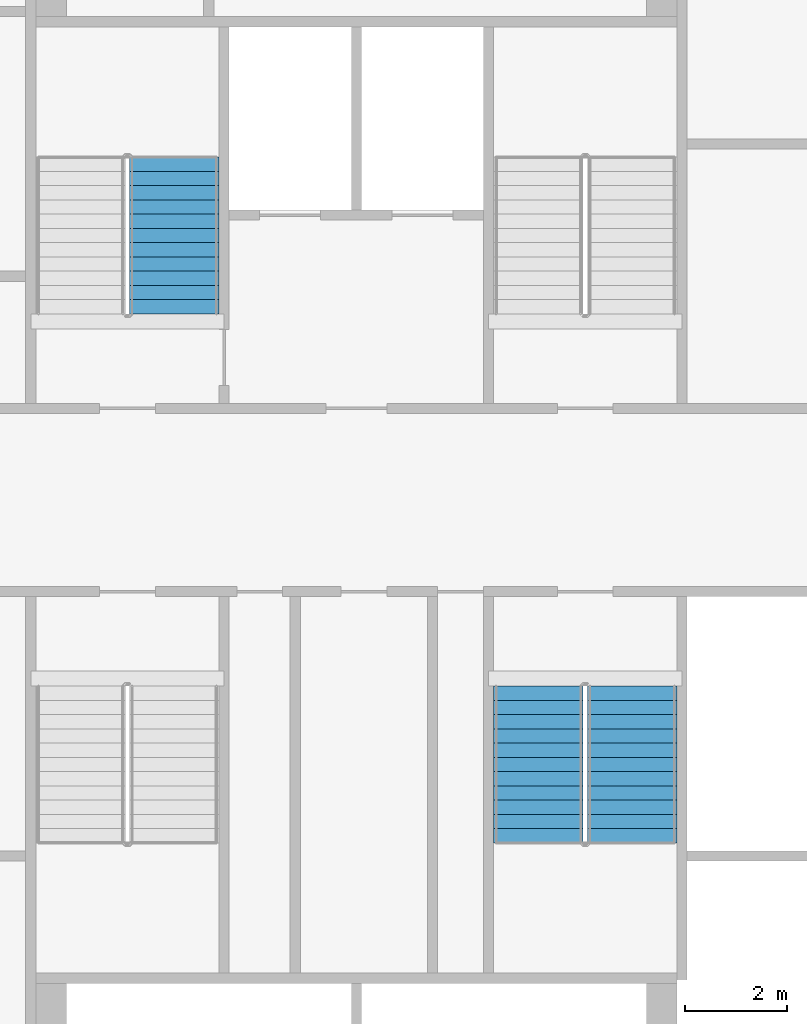
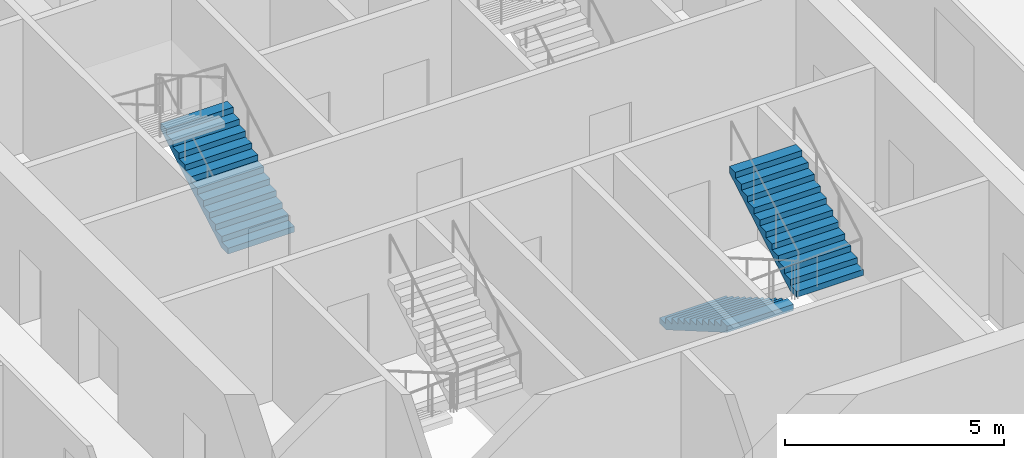
# One storey, part 9 of 15: 3 stair flights, 2 elements without a shape of their own.
"""IFC4 building model written with IfcOpenShell, lengths in metres."""

from ifc_helpers import new_model, si_unit, direction, frame, origin, place, context, subcontext, project, spatial, faceted_brep, material, type_object, element, aggregate, save


model = new_model("IFC4")

# Units and contexts
model_context = context("Model", 3, precision=1e-05, world=origin(), true_north=direction((0.0, 1.0)))
body_context = subcontext(model_context, "Body", "Model", "MODEL_VIEW")
ifc_project = project(units=[si_unit("LENGTHUNIT", "METRE"), si_unit("AREAUNIT", "SQUARE_METRE"), si_unit("VOLUMEUNIT", "CUBIC_METRE"), si_unit("PLANEANGLEUNIT", "RADIAN"), si_unit("MASSUNIT", "GRAM", prefix="KILO")], contexts=[model_context])

# Site, building, storey
site_placement = place(None, origin())
site = spatial("IfcSite", under=ifc_project, at=site_placement, CompositionType="ELEMENT")
building_placement = place(site_placement, origin())
building = spatial("IfcBuilding", under=site, at=building_placement, Name="Tarsis Ring Headquarters", CompositionType="ELEMENT")
storey_placement = place(building_placement, frame((0.0, 0.0, 204.300048828125)))
storey = spatial("IfcBuildingStorey", under=building, at=storey_placement, Name="L47", CompositionType="ELEMENT", Elevation=204.300048828125)

# Stair, stair flight
ifc_material_1 = material(Name="Core stair 1760")
stair_type = type_object("IfcStairType", Name="Core stair 1760", PredefinedType="HALF_TURN_STAIR", material=ifc_material_1)
stair_1_placement = place(storey_placement, origin())
stair_1 = element("IfcStair", 1, at=stair_1_placement, inside=storey, type_object=stair_type, Name="L47 Firefighting stair", PredefinedType="HALF_TURN_STAIR")
ifc_material_2 = material(Name="Concrete C40/50", Category="concrete")
stair_flight_type = type_object("IfcStairFlightType", Name="Core stair flight 1760", PredefinedType="STRAIGHT", material=ifc_material_2)
stair_flight_1_placement = place(storey_placement, frame((-3.580078125, 3.659912109375, 0.0), z_axis=(0.0, 0.0, 1.0), x_axis=(0.0, 1.0, 0.0)))
stair_flight_1 = element("IfcStairFlight", 2, at=stair_flight_1_placement, type_object=stair_flight_type, Name="Stair ST1 flight 1", NumberOfRisers=12, NumberOfTreads=11, PredefinedType="STRAIGHT", RiserHeight=0.1625, TreadLength=0.28, context=body_context, shape_type="Brep", body=[
    faceted_brep([(0.0, 0.8798828125, 0.0), (0.0, 0.8798828125, 0.16259765625), (0.280029296875, 0.8798828125, 0.16259765625), (0.280029296875, 0.8798828125, 0.324951171875), (0.56005859375, 0.8798828125, 0.324951171875), (0.56005859375, 0.8798828125, 0.487548828125), (0.840087890625, 0.8798828125, 0.487548828125), (0.840087890625, 0.8798828125, 0.64990234375), (1.1201171875, 0.8798828125, 0.64990234375), (1.1201171875, 0.8798828125, 0.8125), (1.39990234375, 0.8798828125, 0.8125), (1.39990234375, 0.8798828125, 0.97509765625), (1.679931640625, 0.8798828125, 0.97509765625), (1.679931640625, 0.8798828125, 1.137451171875), (1.9599609375, 0.8798828125, 1.137451171875), (1.9599609375, 0.8798828125, 1.300048828125), (2.239990234375, 0.8798828125, 1.300048828125), (2.239990234375, 0.8798828125, 1.46240234375), (2.52001953125, 0.8798828125, 1.46240234375), (2.52001953125, 0.8798828125, 1.625), (2.800048828125, 0.8798828125, 1.625), (2.800048828125, 0.8798828125, 1.78759765625), (3.080078125, 0.8798828125, 1.78759765625), (3.080078125, 0.8798828125, 1.6142578125), (0.298583984375, 0.8798828125, 0.0), (0.298583984375, -0.8798828125, 0.0), (3.080078125, -0.8798828125, 1.6142578125), (3.080078125, -0.8798828125, 1.78759765625), (2.800048828125, -0.8798828125, 1.78759765625), (2.800048828125, -0.8798828125, 1.625), (2.52001953125, -0.8798828125, 1.625), (2.52001953125, -0.8798828125, 1.46240234375), (2.239990234375, -0.8798828125, 1.46240234375), (2.239990234375, -0.8798828125, 1.300048828125), (1.9599609375, -0.8798828125, 1.300048828125), (1.9599609375, -0.8798828125, 1.137451171875), (1.679931640625, -0.8798828125, 1.137451171875), (1.679931640625, -0.8798828125, 0.97509765625), (1.39990234375, -0.8798828125, 0.97509765625), (1.39990234375, -0.8798828125, 0.8125), (1.1201171875, -0.8798828125, 0.8125), (1.1201171875, -0.8798828125, 0.64990234375), (0.840087890625, -0.8798828125, 0.64990234375), (0.840087890625, -0.8798828125, 0.487548828125), (0.56005859375, -0.8798828125, 0.487548828125), (0.56005859375, -0.8798828125, 0.324951171875), (0.280029296875, -0.8798828125, 0.324951171875), (0.280029296875, -0.8798828125, 0.16259765625), (0.0, -0.8798828125, 0.16259765625), (0.0, -0.8798828125, 0.0), (0.0, -0.43994140625, 0.16259765625), (0.0, -0.43994140625, 0.0), (0.0, 0.0, 0.16259765625), (0.0, 0.0, 0.0), (0.0, 0.43994140625, 0.16259765625), (0.0, 0.43994140625, 0.0), (0.280029296875, -0.43994140625, 0.16259765625), (0.280029296875, 0.0, 0.16259765625), (0.280029296875, 0.43994140625, 0.16259765625), (0.280029296875, -0.43994140625, 0.324951171875), (0.280029296875, 0.0, 0.324951171875), (0.280029296875, 0.43994140625, 0.324951171875), (0.56005859375, -0.43994140625, 0.324951171875), (0.56005859375, 0.0, 0.324951171875), (0.56005859375, 0.43994140625, 0.324951171875), (0.56005859375, -0.43994140625, 0.487548828125), (0.56005859375, 0.0, 0.487548828125), (0.56005859375, 0.43994140625, 0.487548828125), (0.840087890625, -0.43994140625, 0.487548828125), (0.840087890625, 0.0, 0.487548828125), (0.840087890625, 0.43994140625, 0.487548828125), (0.840087890625, -0.43994140625, 0.64990234375), (0.840087890625, 0.0, 0.64990234375), (0.840087890625, 0.43994140625, 0.64990234375), (1.1201171875, -0.43994140625, 0.64990234375), (1.1201171875, 0.0, 0.64990234375), (1.1201171875, 0.43994140625, 0.64990234375), (1.1201171875, -0.43994140625, 0.8125), (1.1201171875, 0.0, 0.8125), (1.1201171875, 0.43994140625, 0.8125), (1.39990234375, -0.43994140625, 0.8125), (1.39990234375, 0.0, 0.8125), (1.39990234375, 0.43994140625, 0.8125), (1.39990234375, -0.43994140625, 0.97509765625), (1.39990234375, 0.0, 0.97509765625), (1.39990234375, 0.43994140625, 0.97509765625), (1.679931640625, -0.43994140625, 0.97509765625), (1.679931640625, 0.0, 0.97509765625), (1.679931640625, 0.43994140625, 0.97509765625), (1.679931640625, -0.43994140625, 1.137451171875), (1.679931640625, 0.0, 1.137451171875), (1.679931640625, 0.43994140625, 1.137451171875), (1.9599609375, -0.43994140625, 1.137451171875), (1.9599609375, 0.0, 1.137451171875), (1.9599609375, 0.43994140625, 1.137451171875), (1.9599609375, -0.43994140625, 1.300048828125), (1.9599609375, 0.0, 1.300048828125), (1.9599609375, 0.43994140625, 1.300048828125), (2.239990234375, -0.43994140625, 1.300048828125), (2.239990234375, 0.0, 1.300048828125), (2.239990234375, 0.43994140625, 1.300048828125), (2.239990234375, -0.43994140625, 1.46240234375), (2.239990234375, 0.0, 1.46240234375), (2.239990234375, 0.43994140625, 1.46240234375), (2.52001953125, -0.43994140625, 1.46240234375), (2.52001953125, 0.0, 1.46240234375), (2.52001953125, 0.43994140625, 1.46240234375), (2.52001953125, -0.43994140625, 1.625), (2.52001953125, 0.0, 1.625), (2.52001953125, 0.43994140625, 1.625), (2.800048828125, -0.43994140625, 1.625), (2.800048828125, 0.0, 1.625), (2.800048828125, 0.43994140625, 1.625), (2.800048828125, -0.43994140625, 1.78759765625), (2.800048828125, 0.0, 1.78759765625), (2.800048828125, 0.43994140625, 1.78759765625), (3.080078125, -0.43994140625, 1.78759765625), (3.080078125, 0.0, 1.78759765625), (3.080078125, 0.43994140625, 1.78759765625), (3.080078125, -0.43994140625, 1.6142578125), (3.080078125, 0.0, 1.6142578125), (3.080078125, 0.43994140625, 1.6142578125), (0.298583984375, -0.43994140625, 0.0), (0.298583984375, 0.0, 0.0), (0.298583984375, 0.43994140625, 0.0)], [[[0, 1, 2, 3, 4, 5, 6, 7, 8, 9, 10, 11, 12, 13, 14, 15, 16, 17, 18, 19, 20, 21, 22, 23, 24]], [[25, 26, 27, 28, 29, 30, 31, 32, 33, 34, 35, 36, 37, 38, 39, 40, 41, 42, 43, 44, 45, 46, 47, 48, 49]], [[49, 48, 50, 51]], [[51, 50, 52, 53]], [[53, 52, 54, 55]], [[55, 54, 1, 0]], [[48, 47, 56, 50]], [[50, 56, 57, 52]], [[52, 57, 58, 54]], [[54, 58, 2, 1]], [[47, 46, 59, 56]], [[56, 59, 60, 57]], [[57, 60, 61, 58]], [[58, 61, 3, 2]], [[46, 45, 62, 59]], [[59, 62, 63, 60]], [[60, 63, 64, 61]], [[61, 64, 4, 3]], [[45, 44, 65, 62]], [[62, 65, 66, 63]], [[63, 66, 67, 64]], [[64, 67, 5, 4]], [[44, 43, 68, 65]], [[65, 68, 69, 66]], [[66, 69, 70, 67]], [[67, 70, 6, 5]], [[43, 42, 71, 68]], [[68, 71, 72, 69]], [[69, 72, 73, 70]], [[70, 73, 7, 6]], [[42, 41, 74, 71]], [[71, 74, 75, 72]], [[72, 75, 76, 73]], [[73, 76, 8, 7]], [[41, 40, 77, 74]], [[74, 77, 78, 75]], [[75, 78, 79, 76]], [[76, 79, 9, 8]], [[40, 39, 80, 77]], [[77, 80, 81, 78]], [[78, 81, 82, 79]], [[79, 82, 10, 9]], [[39, 38, 83, 80]], [[80, 83, 84, 81]], [[81, 84, 85, 82]], [[82, 85, 11, 10]], [[38, 37, 86, 83]], [[83, 86, 87, 84]], [[84, 87, 88, 85]], [[85, 88, 12, 11]], [[37, 36, 89, 86]], [[86, 89, 90, 87]], [[87, 90, 91, 88]], [[88, 91, 13, 12]], [[36, 35, 92, 89]], [[89, 92, 93, 90]], [[90, 93, 94, 91]], [[91, 94, 14, 13]], [[35, 34, 95, 92]], [[92, 95, 96, 93]], [[93, 96, 97, 94]], [[94, 97, 15, 14]], [[34, 33, 98, 95]], [[95, 98, 99, 96]], [[96, 99, 100, 97]], [[97, 100, 16, 15]], [[33, 32, 101, 98]], [[98, 101, 102, 99]], [[99, 102, 103, 100]], [[100, 103, 17, 16]], [[32, 31, 104, 101]], [[101, 104, 105, 102]], [[102, 105, 106, 103]], [[103, 106, 18, 17]], [[31, 30, 107, 104]], [[104, 107, 108, 105]], [[105, 108, 109, 106]], [[106, 109, 19, 18]], [[30, 29, 110, 107]], [[107, 110, 111, 108]], [[108, 111, 112, 109]], [[109, 112, 20, 19]], [[29, 28, 113, 110]], [[110, 113, 114, 111]], [[111, 114, 115, 112]], [[112, 115, 21, 20]], [[28, 27, 116, 113]], [[113, 116, 117, 114]], [[114, 117, 118, 115]], [[115, 118, 22, 21]], [[27, 26, 119, 116]], [[116, 119, 120, 117]], [[117, 120, 121, 118]], [[118, 121, 23, 22]], [[26, 25, 122, 119]], [[119, 122, 123, 120]], [[120, 123, 124, 121]], [[121, 124, 24, 23]], [[25, 49, 51, 122]], [[122, 51, 53, 123]], [[123, 53, 55, 124]], [[124, 55, 0, 24]]]),
])
aggregate(stair_1, [stair_flight_1])

# Stair, stair flights
stair_2_placement = place(storey_placement, origin())
stair_2 = element("IfcStair", 3, at=stair_2_placement, inside=storey, type_object=stair_type, Name="L47 Exit stair D", PredefinedType="HALF_TURN_STAIR")
stair_flight_2_placement = place(storey_placement, frame((3.580078125, -3.659912109375, 0.0), z_axis=(0.0, 0.0, 1.0), x_axis=(0.0, -1.0, 0.0)))
stair_flight_2 = element("IfcStairFlight", 4, at=stair_flight_2_placement, type_object=stair_flight_type, Name="Stair ST4 flight 1", NumberOfRisers=12, NumberOfTreads=11, PredefinedType="STRAIGHT", RiserHeight=0.1625, TreadLength=0.28, context=body_context, shape_type="Brep", body=[
    faceted_brep([(0.0, 0.8798828125, 0.0), (0.0, 0.8798828125, 0.16259765625), (0.280029296875, 0.8798828125, 0.16259765625), (0.280029296875, 0.8798828125, 0.324951171875), (0.56005859375, 0.8798828125, 0.324951171875), (0.56005859375, 0.8798828125, 0.487548828125), (0.840087890625, 0.8798828125, 0.487548828125), (0.840087890625, 0.8798828125, 0.64990234375), (1.1201171875, 0.8798828125, 0.64990234375), (1.1201171875, 0.8798828125, 0.8125), (1.39990234375, 0.8798828125, 0.8125), (1.39990234375, 0.8798828125, 0.97509765625), (1.679931640625, 0.8798828125, 0.97509765625), (1.679931640625, 0.8798828125, 1.137451171875), (1.9599609375, 0.8798828125, 1.137451171875), (1.9599609375, 0.8798828125, 1.300048828125), (2.239990234375, 0.8798828125, 1.300048828125), (2.239990234375, 0.8798828125, 1.46240234375), (2.52001953125, 0.8798828125, 1.46240234375), (2.52001953125, 0.8798828125, 1.625), (2.800048828125, 0.8798828125, 1.625), (2.800048828125, 0.8798828125, 1.78759765625), (3.080078125, 0.8798828125, 1.78759765625), (3.080078125, 0.8798828125, 1.6142578125), (0.298583984375, 0.8798828125, 0.0), (0.298583984375, -0.8798828125, 0.0), (3.080078125, -0.8798828125, 1.6142578125), (3.080078125, -0.8798828125, 1.78759765625), (2.800048828125, -0.8798828125, 1.78759765625), (2.800048828125, -0.8798828125, 1.625), (2.52001953125, -0.8798828125, 1.625), (2.52001953125, -0.8798828125, 1.46240234375), (2.239990234375, -0.8798828125, 1.46240234375), (2.239990234375, -0.8798828125, 1.300048828125), (1.9599609375, -0.8798828125, 1.300048828125), (1.9599609375, -0.8798828125, 1.137451171875), (1.679931640625, -0.8798828125, 1.137451171875), (1.679931640625, -0.8798828125, 0.97509765625), (1.39990234375, -0.8798828125, 0.97509765625), (1.39990234375, -0.8798828125, 0.8125), (1.1201171875, -0.8798828125, 0.8125), (1.1201171875, -0.8798828125, 0.64990234375), (0.840087890625, -0.8798828125, 0.64990234375), (0.840087890625, -0.8798828125, 0.487548828125), (0.56005859375, -0.8798828125, 0.487548828125), (0.56005859375, -0.8798828125, 0.324951171875), (0.280029296875, -0.8798828125, 0.324951171875), (0.280029296875, -0.8798828125, 0.16259765625), (0.0, -0.8798828125, 0.16259765625), (0.0, -0.8798828125, 0.0), (0.0, -0.43994140625, 0.16259765625), (0.0, -0.43994140625, 0.0), (0.0, 0.0, 0.16259765625), (0.0, 0.0, 0.0), (0.0, 0.43994140625, 0.16259765625), (0.0, 0.43994140625, 0.0), (0.280029296875, -0.43994140625, 0.16259765625), (0.280029296875, 0.0, 0.16259765625), (0.280029296875, 0.43994140625, 0.16259765625), (0.280029296875, -0.43994140625, 0.324951171875), (0.280029296875, 0.0, 0.324951171875), (0.280029296875, 0.43994140625, 0.324951171875), (0.56005859375, -0.43994140625, 0.324951171875), (0.56005859375, 0.0, 0.324951171875), (0.56005859375, 0.43994140625, 0.324951171875), (0.56005859375, -0.43994140625, 0.487548828125), (0.56005859375, 0.0, 0.487548828125), (0.56005859375, 0.43994140625, 0.487548828125), (0.840087890625, -0.43994140625, 0.487548828125), (0.840087890625, 0.0, 0.487548828125), (0.840087890625, 0.43994140625, 0.487548828125), (0.840087890625, -0.43994140625, 0.64990234375), (0.840087890625, 0.0, 0.64990234375), (0.840087890625, 0.43994140625, 0.64990234375), (1.1201171875, -0.43994140625, 0.64990234375), (1.1201171875, 0.0, 0.64990234375), (1.1201171875, 0.43994140625, 0.64990234375), (1.1201171875, -0.43994140625, 0.8125), (1.1201171875, 0.0, 0.8125), (1.1201171875, 0.43994140625, 0.8125), (1.39990234375, -0.43994140625, 0.8125), (1.39990234375, 0.0, 0.8125), (1.39990234375, 0.43994140625, 0.8125), (1.39990234375, -0.43994140625, 0.97509765625), (1.39990234375, 0.0, 0.97509765625), (1.39990234375, 0.43994140625, 0.97509765625), (1.679931640625, -0.43994140625, 0.97509765625), (1.679931640625, 0.0, 0.97509765625), (1.679931640625, 0.43994140625, 0.97509765625), (1.679931640625, -0.43994140625, 1.137451171875), (1.679931640625, 0.0, 1.137451171875), (1.679931640625, 0.43994140625, 1.137451171875), (1.9599609375, -0.43994140625, 1.137451171875), (1.9599609375, 0.0, 1.137451171875), (1.9599609375, 0.43994140625, 1.137451171875), (1.9599609375, -0.43994140625, 1.300048828125), (1.9599609375, 0.0, 1.300048828125), (1.9599609375, 0.43994140625, 1.300048828125), (2.239990234375, -0.43994140625, 1.300048828125), (2.239990234375, 0.0, 1.300048828125), (2.239990234375, 0.43994140625, 1.300048828125), (2.239990234375, -0.43994140625, 1.46240234375), (2.239990234375, 0.0, 1.46240234375), (2.239990234375, 0.43994140625, 1.46240234375), (2.52001953125, -0.43994140625, 1.46240234375), (2.52001953125, 0.0, 1.46240234375), (2.52001953125, 0.43994140625, 1.46240234375), (2.52001953125, -0.43994140625, 1.625), (2.52001953125, 0.0, 1.625), (2.52001953125, 0.43994140625, 1.625), (2.800048828125, -0.43994140625, 1.625), (2.800048828125, 0.0, 1.625), (2.800048828125, 0.43994140625, 1.625), (2.800048828125, -0.43994140625, 1.78759765625), (2.800048828125, 0.0, 1.78759765625), (2.800048828125, 0.43994140625, 1.78759765625), (3.080078125, -0.43994140625, 1.78759765625), (3.080078125, 0.0, 1.78759765625), (3.080078125, 0.43994140625, 1.78759765625), (3.080078125, -0.43994140625, 1.6142578125), (3.080078125, 0.0, 1.6142578125), (3.080078125, 0.43994140625, 1.6142578125), (0.298583984375, -0.43994140625, 0.0), (0.298583984375, 0.0, 0.0), (0.298583984375, 0.43994140625, 0.0)], [[[0, 1, 2, 3, 4, 5, 6, 7, 8, 9, 10, 11, 12, 13, 14, 15, 16, 17, 18, 19, 20, 21, 22, 23, 24]], [[25, 26, 27, 28, 29, 30, 31, 32, 33, 34, 35, 36, 37, 38, 39, 40, 41, 42, 43, 44, 45, 46, 47, 48, 49]], [[49, 48, 50, 51]], [[51, 50, 52, 53]], [[53, 52, 54, 55]], [[55, 54, 1, 0]], [[48, 47, 56, 50]], [[50, 56, 57, 52]], [[52, 57, 58, 54]], [[54, 58, 2, 1]], [[47, 46, 59, 56]], [[56, 59, 60, 57]], [[57, 60, 61, 58]], [[58, 61, 3, 2]], [[46, 45, 62, 59]], [[59, 62, 63, 60]], [[60, 63, 64, 61]], [[61, 64, 4, 3]], [[45, 44, 65, 62]], [[62, 65, 66, 63]], [[63, 66, 67, 64]], [[64, 67, 5, 4]], [[44, 43, 68, 65]], [[65, 68, 69, 66]], [[66, 69, 70, 67]], [[67, 70, 6, 5]], [[43, 42, 71, 68]], [[68, 71, 72, 69]], [[69, 72, 73, 70]], [[70, 73, 7, 6]], [[42, 41, 74, 71]], [[71, 74, 75, 72]], [[72, 75, 76, 73]], [[73, 76, 8, 7]], [[41, 40, 77, 74]], [[74, 77, 78, 75]], [[75, 78, 79, 76]], [[76, 79, 9, 8]], [[40, 39, 80, 77]], [[77, 80, 81, 78]], [[78, 81, 82, 79]], [[79, 82, 10, 9]], [[39, 38, 83, 80]], [[80, 83, 84, 81]], [[81, 84, 85, 82]], [[82, 85, 11, 10]], [[38, 37, 86, 83]], [[83, 86, 87, 84]], [[84, 87, 88, 85]], [[85, 88, 12, 11]], [[37, 36, 89, 86]], [[86, 89, 90, 87]], [[87, 90, 91, 88]], [[88, 91, 13, 12]], [[36, 35, 92, 89]], [[89, 92, 93, 90]], [[90, 93, 94, 91]], [[91, 94, 14, 13]], [[35, 34, 95, 92]], [[92, 95, 96, 93]], [[93, 96, 97, 94]], [[94, 97, 15, 14]], [[34, 33, 98, 95]], [[95, 98, 99, 96]], [[96, 99, 100, 97]], [[97, 100, 16, 15]], [[33, 32, 101, 98]], [[98, 101, 102, 99]], [[99, 102, 103, 100]], [[100, 103, 17, 16]], [[32, 31, 104, 101]], [[101, 104, 105, 102]], [[102, 105, 106, 103]], [[103, 106, 18, 17]], [[31, 30, 107, 104]], [[104, 107, 108, 105]], [[105, 108, 109, 106]], [[106, 109, 19, 18]], [[30, 29, 110, 107]], [[107, 110, 111, 108]], [[108, 111, 112, 109]], [[109, 112, 20, 19]], [[29, 28, 113, 110]], [[110, 113, 114, 111]], [[111, 114, 115, 112]], [[112, 115, 21, 20]], [[28, 27, 116, 113]], [[113, 116, 117, 114]], [[114, 117, 118, 115]], [[115, 118, 22, 21]], [[27, 26, 119, 116]], [[116, 119, 120, 117]], [[117, 120, 121, 118]], [[118, 121, 23, 22]], [[26, 25, 122, 119]], [[119, 122, 123, 120]], [[120, 123, 124, 121]], [[121, 124, 24, 23]], [[25, 49, 51, 122]], [[122, 51, 53, 123]], [[123, 53, 55, 124]], [[124, 55, 0, 24]]]),
])
stair_flight_3_placement = place(storey_placement, frame((5.419921875, -6.739990234375, 1.949951171875), z_axis=(0.0, 0.0, 1.0), x_axis=(0.0, 1.0, 0.0)))
stair_flight_3 = element("IfcStairFlight", 5, at=stair_flight_3_placement, type_object=stair_flight_type, Name="Stair ST4 flight 2", NumberOfRisers=12, NumberOfTreads=11, PredefinedType="STRAIGHT", RiserHeight=0.1625, TreadLength=0.28, context=body_context, shape_type="Brep", body=[
    faceted_brep([(0.0, 0.8798828125, 0.0), (0.0, 0.8798828125, 0.16259765625), (0.280029296875, 0.8798828125, 0.16259765625), (0.280029296875, 0.8798828125, 0.324951171875), (0.56005859375, 0.8798828125, 0.324951171875), (0.56005859375, 0.8798828125, 0.487548828125), (0.840087890625, 0.8798828125, 0.487548828125), (0.840087890625, 0.8798828125, 0.64990234375), (1.1201171875, 0.8798828125, 0.64990234375), (1.1201171875, 0.8798828125, 0.8125), (1.39990234375, 0.8798828125, 0.8125), (1.39990234375, 0.8798828125, 0.97509765625), (1.679931640625, 0.8798828125, 0.97509765625), (1.679931640625, 0.8798828125, 1.137451171875), (1.9599609375, 0.8798828125, 1.137451171875), (1.9599609375, 0.8798828125, 1.300048828125), (2.239990234375, 0.8798828125, 1.300048828125), (2.239990234375, 0.8798828125, 1.46240234375), (2.52001953125, 0.8798828125, 1.46240234375), (2.52001953125, 0.8798828125, 1.625), (2.800048828125, 0.8798828125, 1.625), (2.800048828125, 0.8798828125, 1.78759765625), (3.080078125, 0.8798828125, 1.78759765625), (3.080078125, 0.8798828125, 1.6142578125), (0.298583984375, 0.8798828125, 0.0), (0.298583984375, -0.8798828125, 0.0), (3.080078125, -0.8798828125, 1.6142578125), (3.080078125, -0.8798828125, 1.78759765625), (2.800048828125, -0.8798828125, 1.78759765625), (2.800048828125, -0.8798828125, 1.625), (2.52001953125, -0.8798828125, 1.625), (2.52001953125, -0.8798828125, 1.46240234375), (2.239990234375, -0.8798828125, 1.46240234375), (2.239990234375, -0.8798828125, 1.300048828125), (1.9599609375, -0.8798828125, 1.300048828125), (1.9599609375, -0.8798828125, 1.137451171875), (1.679931640625, -0.8798828125, 1.137451171875), (1.679931640625, -0.8798828125, 0.97509765625), (1.39990234375, -0.8798828125, 0.97509765625), (1.39990234375, -0.8798828125, 0.8125), (1.1201171875, -0.8798828125, 0.8125), (1.1201171875, -0.8798828125, 0.64990234375), (0.840087890625, -0.8798828125, 0.64990234375), (0.840087890625, -0.8798828125, 0.487548828125), (0.56005859375, -0.8798828125, 0.487548828125), (0.56005859375, -0.8798828125, 0.324951171875), (0.280029296875, -0.8798828125, 0.324951171875), (0.280029296875, -0.8798828125, 0.16259765625), (0.0, -0.8798828125, 0.16259765625), (0.0, -0.8798828125, 0.0), (0.0, -0.43994140625, 0.16259765625), (0.0, -0.43994140625, 0.0), (0.0, 0.0, 0.16259765625), (0.0, 0.0, 0.0), (0.0, 0.43994140625, 0.16259765625), (0.0, 0.43994140625, 0.0), (0.280029296875, -0.43994140625, 0.16259765625), (0.280029296875, 0.0, 0.16259765625), (0.280029296875, 0.43994140625, 0.16259765625), (0.280029296875, -0.43994140625, 0.324951171875), (0.280029296875, 0.0, 0.324951171875), (0.280029296875, 0.43994140625, 0.324951171875), (0.56005859375, -0.43994140625, 0.324951171875), (0.56005859375, 0.0, 0.324951171875), (0.56005859375, 0.43994140625, 0.324951171875), (0.56005859375, -0.43994140625, 0.487548828125), (0.56005859375, 0.0, 0.487548828125), (0.56005859375, 0.43994140625, 0.487548828125), (0.840087890625, -0.43994140625, 0.487548828125), (0.840087890625, 0.0, 0.487548828125), (0.840087890625, 0.43994140625, 0.487548828125), (0.840087890625, -0.43994140625, 0.64990234375), (0.840087890625, 0.0, 0.64990234375), (0.840087890625, 0.43994140625, 0.64990234375), (1.1201171875, -0.43994140625, 0.64990234375), (1.1201171875, 0.0, 0.64990234375), (1.1201171875, 0.43994140625, 0.64990234375), (1.1201171875, -0.43994140625, 0.8125), (1.1201171875, 0.0, 0.8125), (1.1201171875, 0.43994140625, 0.8125), (1.39990234375, -0.43994140625, 0.8125), (1.39990234375, 0.0, 0.8125), (1.39990234375, 0.43994140625, 0.8125), (1.39990234375, -0.43994140625, 0.97509765625), (1.39990234375, 0.0, 0.97509765625), (1.39990234375, 0.43994140625, 0.97509765625), (1.679931640625, -0.43994140625, 0.97509765625), (1.679931640625, 0.0, 0.97509765625), (1.679931640625, 0.43994140625, 0.97509765625), (1.679931640625, -0.43994140625, 1.137451171875), (1.679931640625, 0.0, 1.137451171875), (1.679931640625, 0.43994140625, 1.137451171875), (1.9599609375, -0.43994140625, 1.137451171875), (1.9599609375, 0.0, 1.137451171875), (1.9599609375, 0.43994140625, 1.137451171875), (1.9599609375, -0.43994140625, 1.300048828125), (1.9599609375, 0.0, 1.300048828125), (1.9599609375, 0.43994140625, 1.300048828125), (2.239990234375, -0.43994140625, 1.300048828125), (2.239990234375, 0.0, 1.300048828125), (2.239990234375, 0.43994140625, 1.300048828125), (2.239990234375, -0.43994140625, 1.46240234375), (2.239990234375, 0.0, 1.46240234375), (2.239990234375, 0.43994140625, 1.46240234375), (2.52001953125, -0.43994140625, 1.46240234375), (2.52001953125, 0.0, 1.46240234375), (2.52001953125, 0.43994140625, 1.46240234375), (2.52001953125, -0.43994140625, 1.625), (2.52001953125, 0.0, 1.625), (2.52001953125, 0.43994140625, 1.625), (2.800048828125, -0.43994140625, 1.625), (2.800048828125, 0.0, 1.625), (2.800048828125, 0.43994140625, 1.625), (2.800048828125, -0.43994140625, 1.78759765625), (2.800048828125, 0.0, 1.78759765625), (2.800048828125, 0.43994140625, 1.78759765625), (3.080078125, -0.43994140625, 1.78759765625), (3.080078125, 0.0, 1.78759765625), (3.080078125, 0.43994140625, 1.78759765625), (3.080078125, -0.43994140625, 1.6142578125), (3.080078125, 0.0, 1.6142578125), (3.080078125, 0.43994140625, 1.6142578125), (0.298583984375, -0.43994140625, 0.0), (0.298583984375, 0.0, 0.0), (0.298583984375, 0.43994140625, 0.0)], [[[0, 1, 2, 3, 4, 5, 6, 7, 8, 9, 10, 11, 12, 13, 14, 15, 16, 17, 18, 19, 20, 21, 22, 23, 24]], [[25, 26, 27, 28, 29, 30, 31, 32, 33, 34, 35, 36, 37, 38, 39, 40, 41, 42, 43, 44, 45, 46, 47, 48, 49]], [[49, 48, 50, 51]], [[51, 50, 52, 53]], [[53, 52, 54, 55]], [[55, 54, 1, 0]], [[48, 47, 56, 50]], [[50, 56, 57, 52]], [[52, 57, 58, 54]], [[54, 58, 2, 1]], [[47, 46, 59, 56]], [[56, 59, 60, 57]], [[57, 60, 61, 58]], [[58, 61, 3, 2]], [[46, 45, 62, 59]], [[59, 62, 63, 60]], [[60, 63, 64, 61]], [[61, 64, 4, 3]], [[45, 44, 65, 62]], [[62, 65, 66, 63]], [[63, 66, 67, 64]], [[64, 67, 5, 4]], [[44, 43, 68, 65]], [[65, 68, 69, 66]], [[66, 69, 70, 67]], [[67, 70, 6, 5]], [[43, 42, 71, 68]], [[68, 71, 72, 69]], [[69, 72, 73, 70]], [[70, 73, 7, 6]], [[42, 41, 74, 71]], [[71, 74, 75, 72]], [[72, 75, 76, 73]], [[73, 76, 8, 7]], [[41, 40, 77, 74]], [[74, 77, 78, 75]], [[75, 78, 79, 76]], [[76, 79, 9, 8]], [[40, 39, 80, 77]], [[77, 80, 81, 78]], [[78, 81, 82, 79]], [[79, 82, 10, 9]], [[39, 38, 83, 80]], [[80, 83, 84, 81]], [[81, 84, 85, 82]], [[82, 85, 11, 10]], [[38, 37, 86, 83]], [[83, 86, 87, 84]], [[84, 87, 88, 85]], [[85, 88, 12, 11]], [[37, 36, 89, 86]], [[86, 89, 90, 87]], [[87, 90, 91, 88]], [[88, 91, 13, 12]], [[36, 35, 92, 89]], [[89, 92, 93, 90]], [[90, 93, 94, 91]], [[91, 94, 14, 13]], [[35, 34, 95, 92]], [[92, 95, 96, 93]], [[93, 96, 97, 94]], [[94, 97, 15, 14]], [[34, 33, 98, 95]], [[95, 98, 99, 96]], [[96, 99, 100, 97]], [[97, 100, 16, 15]], [[33, 32, 101, 98]], [[98, 101, 102, 99]], [[99, 102, 103, 100]], [[100, 103, 17, 16]], [[32, 31, 104, 101]], [[101, 104, 105, 102]], [[102, 105, 106, 103]], [[103, 106, 18, 17]], [[31, 30, 107, 104]], [[104, 107, 108, 105]], [[105, 108, 109, 106]], [[106, 109, 19, 18]], [[30, 29, 110, 107]], [[107, 110, 111, 108]], [[108, 111, 112, 109]], [[109, 112, 20, 19]], [[29, 28, 113, 110]], [[110, 113, 114, 111]], [[111, 114, 115, 112]], [[112, 115, 21, 20]], [[28, 27, 116, 113]], [[113, 116, 117, 114]], [[114, 117, 118, 115]], [[115, 118, 22, 21]], [[27, 26, 119, 116]], [[116, 119, 120, 117]], [[117, 120, 121, 118]], [[118, 121, 23, 22]], [[26, 25, 122, 119]], [[119, 122, 123, 120]], [[120, 123, 124, 121]], [[121, 124, 24, 23]], [[25, 49, 51, 122]], [[122, 51, 53, 123]], [[123, 53, 55, 124]], [[124, 55, 0, 24]]]),
])
aggregate(stair_2, [stair_flight_2, stair_flight_3])

save(model, "model.ifc")
